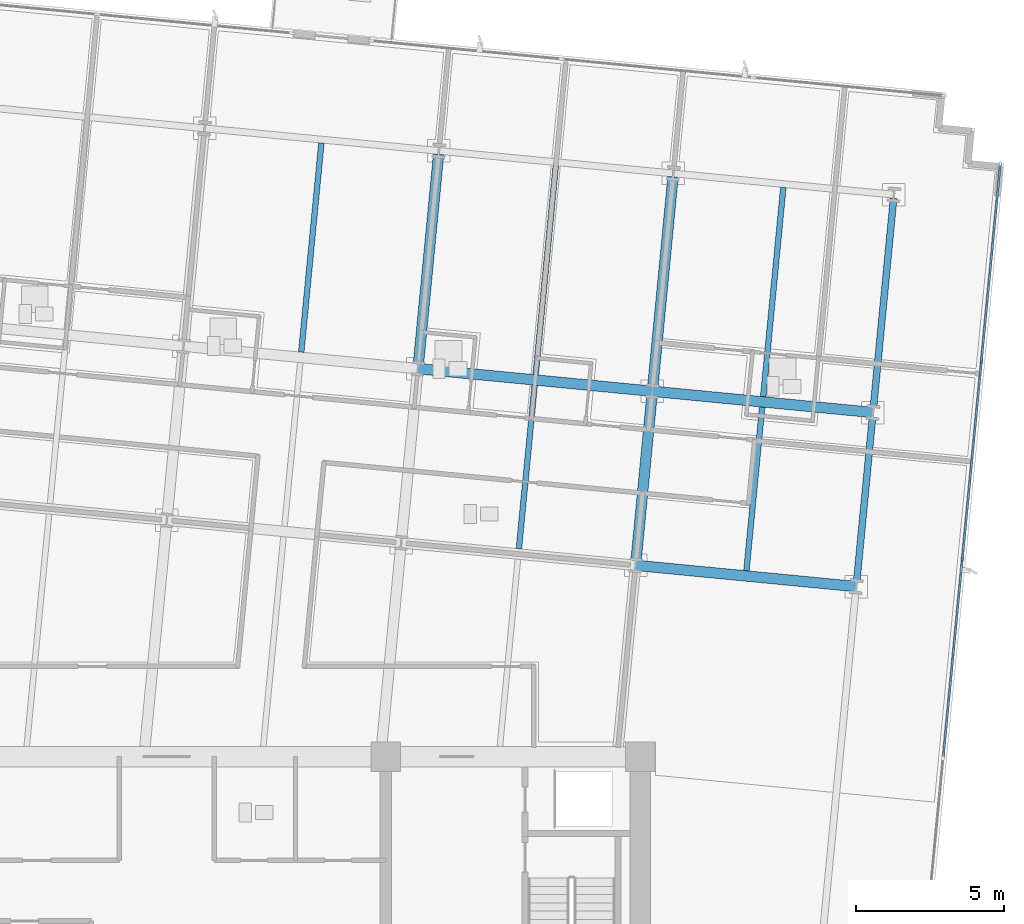
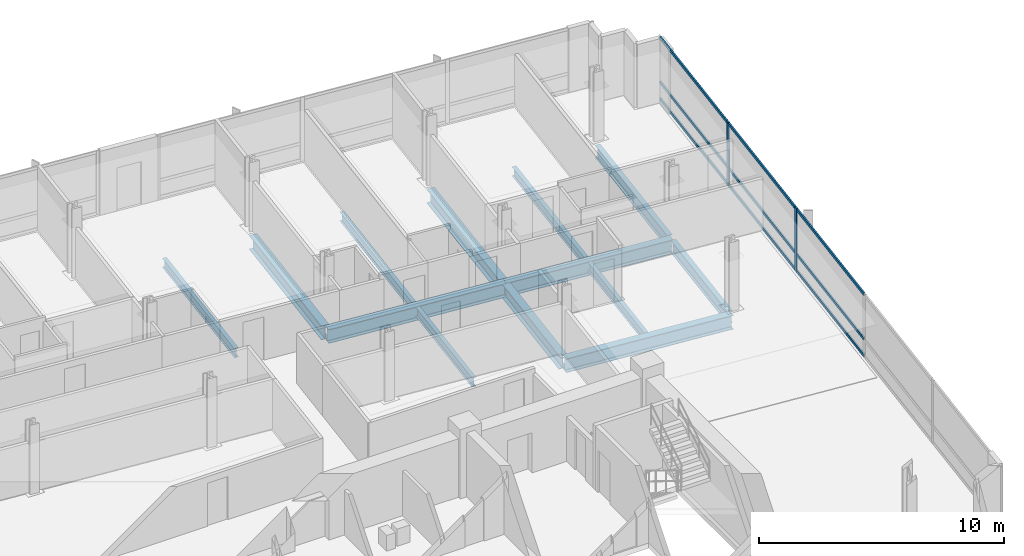
# One storey, part 6 of 17: 13 beams, 11 members, 1 element without a shape of its own.
"""IFC4 building model written with IfcOpenShell, lengths in metres."""

from ifc_helpers import new_model, si_unit, direction, frame, origin, origin_2d, place, context, subcontext, project, spatial, rectangle, i_section, extrude, material, material_profile, profile_set, type_object, element, aggregate, save


model = new_model("IFC4")

# Units and contexts
model_context = context("Model", 3, precision=1e-05, world=origin(), true_north=direction((0.0, 1.0)))
body_context = subcontext(model_context, "Body", "Model", "MODEL_VIEW")
ifc_project = project(units=[si_unit("LENGTHUNIT", "METRE"), si_unit("AREAUNIT", "SQUARE_METRE"), si_unit("VOLUMEUNIT", "CUBIC_METRE"), si_unit("PLANEANGLEUNIT", "RADIAN"), si_unit("MASSUNIT", "GRAM", prefix="KILO")], contexts=[model_context])

# Site, building, storey
site_placement = place(None, origin())
site = spatial("IfcSite", under=ifc_project, at=site_placement, CompositionType="ELEMENT")
building_placement = place(site_placement, origin())
building = spatial("IfcBuilding", under=site, at=building_placement, Name="Solmavex Isthmus Hotel", CompositionType="ELEMENT")
storey_placement = place(building_placement, frame((0.0, 0.0, 139.35009765625)))
storey = spatial("IfcBuildingStorey", under=building, at=storey_placement, Name="L37", CompositionType="ELEMENT", Elevation=139.35009765625)

# Beams
ifc_material_1 = material(Name="Steel ASTM A992 Grade 50", Category="steel")
ifc_material_profile_1 = material_profile(ifc_material_1, i_section(OverallWidth=0.354736328125, OverallDepth=0.695556640625, WebThickness=0.015380859375, FlangeThickness=0.02490234375, FilletRadius=0.017822265625, at=origin_2d()), Name="W27X146")
ifc_profile_set_1 = profile_set([ifc_material_profile_1], Name="Steel ASTM A992 Grade 50")
beam_type_1 = type_object("IfcBeamType", Name="BM-BG-W27X146", PredefinedType="BEAM", material=ifc_profile_set_1)
beam_1_placement = place(storey_placement, frame((15.840087890625, 3.96533203125, -0.60791015625), z_axis=(0.995394980007, -0.095858404835, 0.0), x_axis=(0.095858404835, 0.995394980007, 0.0)))
element("IfcBeam", 1, at=beam_1_placement, inside=storey, type_object=beam_type_1, Name="Floor Girder L37-UG08", PredefinedType="BEAM", context=body_context, shape_type="SweptSolid", body=[
    extrude(i_section(OverallWidth=0.354736328125, OverallDepth=0.695556640625, WebThickness=0.015380859375, FlangeThickness=0.02490234375, FilletRadius=0.017822265625, at=origin_2d()), origin(), (0.0, 0.0, 1.0), 7.48779296875),
])
beam_2_placement = place(storey_placement, frame((8.48681640625, 10.608642578125, -0.60791015625), z_axis=(0.995394512348, -0.095863260885, 0.0), x_axis=(0.095863260885, 0.995394512348, 0.0)))
element("IfcBeam", 2, at=beam_2_placement, inside=storey, type_object=beam_type_1, Name="Floor Girder L37-UG13", PredefinedType="BEAM", context=body_context, shape_type="SweptSolid", body=[
    extrude(i_section(OverallWidth=0.354736328125, OverallDepth=0.695556640625, WebThickness=0.015380859375, FlangeThickness=0.02490234375, FilletRadius=0.017822265625, at=origin_2d()), origin(), (0.0, 0.0, 1.0), 7.9560546875),
])
beam_3_placement = place(storey_placement, frame((16.40625, 9.845947265625, -0.60791015625), z_axis=(0.995398389938, -0.095822989454, 0.0), x_axis=(0.095822989454, 0.995398389938, 0.0)))
element("IfcBeam", 3, at=beam_3_placement, inside=storey, type_object=beam_type_1, Name="Floor Girder L37-UG14", PredefinedType="BEAM", context=body_context, shape_type="SweptSolid", body=[
    extrude(i_section(OverallWidth=0.354736328125, OverallDepth=0.695556640625, WebThickness=0.015380859375, FlangeThickness=0.02490234375, FilletRadius=0.017822265625, at=origin_2d()), origin(), (0.0, 0.0, 1.0), 7.488037109375),
])
beam_4_placement = place(storey_placement, frame((8.50390625, 10.78515625, -0.60791015625), z_axis=(0.095842805175, 0.99539648216, 0.0), x_axis=(-0.99539648216, 0.095842805175, 0.0)))
element("IfcBeam", 4, at=beam_4_placement, inside=storey, type_object=beam_type_1, Name="Floor Beam L37-VG35", PredefinedType="BEAM", context=body_context, shape_type="SweptSolid", body=[
    extrude(i_section(OverallWidth=0.354736328125, OverallDepth=0.695556640625, WebThickness=0.015380859375, FlangeThickness=0.02490234375, FilletRadius=0.017822265625, at=origin_2d()), origin(), (0.0, 0.0, 1.0), 7.099365234375),
])
beam_5_placement = place(storey_placement, frame((15.85693359375, 4.141845703125, -0.60791015625), z_axis=(0.095842252862, 0.99539653534, 0.0), x_axis=(-0.99539653534, 0.095842252862, 0.0)))
element("IfcBeam", 5, at=beam_5_placement, inside=storey, type_object=beam_type_1, Name="Floor Beam L37-VG37", PredefinedType="BEAM", context=body_context, shape_type="SweptSolid", body=[
    extrude(i_section(OverallWidth=0.354736328125, OverallDepth=0.695556640625, WebThickness=0.015380859375, FlangeThickness=0.02490234375, FilletRadius=0.017822265625, at=origin_2d()), origin(), (0.0, 0.0, 1.0), 5.55322265625),
])
beam_6_placement = place(storey_placement, frame((16.42333984375, 10.022705078125, -0.60791015625), z_axis=(0.095842805175, 0.99539648216, 0.0), x_axis=(-0.99539648216, 0.095842805175, 0.0)))
element("IfcBeam", 6, at=beam_6_placement, inside=storey, type_object=beam_type_1, Name="Floor Beam L37-VG38", PredefinedType="BEAM", context=body_context, shape_type="SweptSolid", body=[
    extrude(i_section(OverallWidth=0.354736328125, OverallDepth=0.695556640625, WebThickness=0.015380859375, FlangeThickness=0.02490234375, FilletRadius=0.017822265625, at=origin_2d()), origin(), (0.0, 0.0, 1.0), 7.099365234375),
])
ifc_material_profile_2 = material_profile(ifc_material_1, i_section(OverallWidth=0.1904296875, OverallDepth=0.456787109375, WebThickness=0.009033203125, FlangeThickness=0.014404296875, FilletRadius=0.0126953125, at=origin_2d()), Name="W18X50")
ifc_profile_set_2 = profile_set([ifc_material_profile_2], Name="Steel ASTM A992 Grade 50")
beam_type_2 = type_object("IfcBeamType", Name="BM-BJ-W18X50", PredefinedType="JOIST", material=ifc_profile_set_2)
beam_7_placement = place(storey_placement, frame((4.544189453125, 11.16650390625, -0.488525390625), z_axis=(0.095842805175, 0.99539648216, 0.0), x_axis=(-0.99539648216, 0.095842805175, 0.0)))
element("IfcBeam", 7, at=beam_7_placement, inside=storey, type_object=beam_type_2, Name="Secondary Floor Joist L37-J12", PredefinedType="JOIST", context=body_context, shape_type="SweptSolid", body=[
    extrude(i_section(OverallWidth=0.1904296875, OverallDepth=0.456787109375, WebThickness=0.009033203125, FlangeThickness=0.014404296875, FilletRadius=0.0126953125, at=origin_2d()), origin(), (0.0, 0.0, 1.0), 7.099365234375),
])
beam_8_placement = place(storey_placement, frame((11.8974609375, 4.523193359375, -0.488525390625), z_axis=(0.095842252862, 0.99539653534, 0.0), x_axis=(-0.99539653534, 0.095842252862, 0.0)))
element("IfcBeam", 8, at=beam_8_placement, inside=storey, type_object=beam_type_2, Name="Secondary Floor Joist L37-J14", PredefinedType="JOIST", context=body_context, shape_type="SweptSolid", body=[
    extrude(i_section(OverallWidth=0.1904296875, OverallDepth=0.456787109375, WebThickness=0.009033203125, FlangeThickness=0.014404296875, FilletRadius=0.0126953125, at=origin_2d()), origin(), (0.0, 0.0, 1.0), 5.55322265625),
])
beam_9_placement = place(storey_placement, frame((12.463623046875, 10.40380859375, -0.488525390625), z_axis=(0.095839524498, 0.995396798038, 0.0), x_axis=(-0.995396798038, 0.095839524498, 0.0)))
element("IfcBeam", 9, at=beam_9_placement, inside=storey, type_object=beam_type_2, Name="Secondary Floor Joist L37-J15", PredefinedType="JOIST", context=body_context, shape_type="SweptSolid", body=[
    extrude(i_section(OverallWidth=0.1904296875, OverallDepth=0.456787109375, WebThickness=0.009033203125, FlangeThickness=0.014404296875, FilletRadius=0.0126953125, at=origin_2d()), origin(), (0.0, 0.0, 1.0), 7.099609375),
])
beam_10_placement = place(storey_placement, frame((19.583740234375, 3.782958984375, -0.488525390625), z_axis=(0.095842252862, 0.99539653534, 0.0), x_axis=(-0.99539653534, 0.095842252862, 0.0)))
element("IfcBeam", 10, at=beam_10_placement, inside=storey, type_object=beam_type_2, Name="Secondary Floor Joist L37-J16", PredefinedType="JOIST", context=body_context, shape_type="SweptSolid", body=[
    extrude(i_section(OverallWidth=0.1904296875, OverallDepth=0.456787109375, WebThickness=0.009033203125, FlangeThickness=0.014404296875, FilletRadius=0.0126953125, at=origin_2d()), origin(), (0.0, 0.0, 1.0), 5.55322265625),
])
beam_11_placement = place(storey_placement, frame((20.150146484375, 9.663818359375, -0.488525390625), z_axis=(0.095842805175, 0.99539648216, 0.0), x_axis=(-0.99539648216, 0.095842805175, 0.0)))
element("IfcBeam", 11, at=beam_11_placement, inside=storey, type_object=beam_type_2, Name="Secondary Floor Joist L37-J17", PredefinedType="JOIST", context=body_context, shape_type="SweptSolid", body=[
    extrude(i_section(OverallWidth=0.1904296875, OverallDepth=0.456787109375, WebThickness=0.009033203125, FlangeThickness=0.014404296875, FilletRadius=0.0126953125, at=origin_2d()), origin(), (0.0, 0.0, 1.0), 7.099365234375),
])
ifc_material_profile_3 = material_profile(ifc_material_1, i_section(OverallWidth=0.230224609375, OverallDepth=0.617431640625, WebThickness=0.01318359375, FlangeThickness=0.022216796875, FilletRadius=0.01513671875, at=origin_2d()), Name="W24X94")
ifc_profile_set_3 = profile_set([ifc_material_profile_3], Name="Steel ASTM A992 Grade 50")
beam_type_3 = type_object("IfcBeamType", Name="BM-SP-W24X94", PredefinedType="SPANDREL", material=ifc_profile_set_3)
beam_12_placement = place(storey_placement, frame((23.310546875, 3.424072265625, -0.56884765625), z_axis=(0.095842252862, 0.99539653534, 0.0), x_axis=(-0.99539653534, 0.095842252862, 0.0)))
element("IfcBeam", 12, at=beam_12_placement, inside=storey, type_object=beam_type_3, Name="Floor Beam L37-VG40", PredefinedType="SPANDREL", context=body_context, shape_type="SweptSolid", body=[
    extrude(i_section(OverallWidth=0.230224609375, OverallDepth=0.617431640625, WebThickness=0.01318359375, FlangeThickness=0.022216796875, FilletRadius=0.01513671875, at=origin_2d()), origin(), (0.0, 0.0, 1.0), 5.55322265625),
])
beam_13_placement = place(storey_placement, frame((23.876708984375, 9.304931640625, -0.56884765625), z_axis=(0.09587687835, 0.9953932008, 0.0), x_axis=(-0.9953932008, 0.09587687835, 0.0)))
element("IfcBeam", 13, at=beam_13_placement, inside=storey, type_object=beam_type_3, Name="Floor Beam L37-VG41", PredefinedType="SPANDREL", context=body_context, shape_type="SweptSolid", body=[
    extrude(i_section(OverallWidth=0.230224609375, OverallDepth=0.617431640625, WebThickness=0.01318359375, FlangeThickness=0.022216796875, FilletRadius=0.01513671875, at=origin_2d()), origin(), (0.0, 0.0, 1.0), 7.099365234375),
])

# Curtain wall, members
ifc_material_2 = material(Name="Aluminium alloy 6063-T6", Category="aluminium")
curtain_wall_type = type_object("IfcCurtainWallType", Name="CW-SYS-03", PredefinedType="NOTDEFINED", material=ifc_material_2)
curtain_wall_placement = place(storey_placement, origin())
curtain_wall = element("IfcCurtainWall", 14, at=curtain_wall_placement, inside=storey, type_object=curtain_wall_type, Name="Stick Curtain Wall CWL-L37-E1", PredefinedType="NOTDEFINED")
ifc_material_profile_4 = material_profile(ifc_material_2, rectangle(XDim=0.070068359375, YDim=0.179931640625, at=origin_2d()), Name="CWM-70X180")
ifc_profile_set_4 = profile_set([ifc_material_profile_4], Name="Aluminium alloy 6063-T6")
member_type_1 = type_object("IfcMemberType", Name="CW-SYS-03-MUL", PredefinedType="MULLION", material=ifc_profile_set_4)
member_1_placement = place(storey_placement, frame((26.878173828125, 4.168212890625, 0.0), z_axis=(0.0, 0.0, 1.0), x_axis=(-0.995396190038, 0.09584583902, 0.0)))
member_1 = element("IfcMember", 15, at=member_1_placement, type_object=member_type_1, Name="CW-03 mullion 4", PredefinedType="MULLION", context=body_context, shape_type="SweptSolid", body=[
    extrude(rectangle(XDim=0.070068359375, YDim=0.179931640625, at=origin_2d()), origin(), (0.0, 0.0, 1.0), 3.18994140625),
])
member_2_placement = place(storey_placement, frame((27.5224609375, 10.857177734375, 0.0), z_axis=(0.0, 0.0, 1.0), x_axis=(-0.995396190038, 0.09584583902, 0.0)))
member_2 = element("IfcMember", 16, at=member_2_placement, type_object=member_type_1, Name="CW-03 mullion 5", PredefinedType="MULLION", context=body_context, shape_type="SweptSolid", body=[
    extrude(rectangle(XDim=0.070068359375, YDim=0.179931640625, at=origin_2d()), origin(), (0.0, 0.0, 1.0), 3.18994140625),
])
ifc_material_profile_5 = material_profile(ifc_material_2, rectangle(XDim=0.070068359375, YDim=0.139892578125, at=origin_2d()), Name="CWT-70X140")
ifc_profile_set_5 = profile_set([ifc_material_profile_5], Name="Aluminium alloy 6063-T6")
member_type_2 = type_object("IfcMemberType", Name="CW-SYS-03-TRN", PredefinedType="USERDEFINED", material=ifc_profile_set_5)
member_3_placement = place(storey_placement, frame((26.237548828125, -2.486083984375, 0.06982421875), z_axis=(0.095857212138, 0.995395094865, 0.0), x_axis=(-0.995395094865, 0.095857212138, 0.0)))
member_3 = element("IfcMember", 17, at=member_3_placement, type_object=member_type_2, Name="CW-03 transom 3.1", ObjectType="TRANSOM", PredefinedType="USERDEFINED", context=body_context, shape_type="SweptSolid", body=[
    extrude(rectangle(XDim=0.070068359375, YDim=0.139892578125, at=origin_2d()), origin(), (0.0, 0.0, 1.0), 6.64990234375),
])
member_4_placement = place(storey_placement, frame((26.237548828125, -2.486083984375, 0.89990234375), z_axis=(0.095857212138, 0.995395094865, 0.0), x_axis=(-0.995395094865, 0.095857212138, 0.0)))
member_4 = element("IfcMember", 18, at=member_4_placement, type_object=member_type_2, Name="CW-03 transom 3.2", ObjectType="TRANSOM", PredefinedType="USERDEFINED", context=body_context, shape_type="SweptSolid", body=[
    extrude(rectangle(XDim=0.070068359375, YDim=0.139892578125, at=origin_2d()), origin(), (0.0, 0.0, 1.0), 6.64990234375),
])
member_5_placement = place(storey_placement, frame((26.237548828125, -2.486083984375, 3.119873046875), z_axis=(0.095857212138, 0.995395094865, 0.0), x_axis=(-0.995395094865, 0.095857212138, 0.0)))
member_5 = element("IfcMember", 19, at=member_5_placement, type_object=member_type_2, Name="CW-03 transom 3.3", ObjectType="TRANSOM", PredefinedType="USERDEFINED", context=body_context, shape_type="SweptSolid", body=[
    extrude(rectangle(XDim=0.070068359375, YDim=0.139892578125, at=origin_2d()), origin(), (0.0, 0.0, 1.0), 6.64990234375),
])
member_6_placement = place(storey_placement, frame((26.881591796875, 4.203125, 0.06982421875), z_axis=(0.095857212138, 0.995395094865, 0.0), x_axis=(-0.995395094865, 0.095857212138, 0.0)))
member_6 = element("IfcMember", 20, at=member_6_placement, type_object=member_type_2, Name="CW-03 transom 4.1", ObjectType="TRANSOM", PredefinedType="USERDEFINED", context=body_context, shape_type="SweptSolid", body=[
    extrude(rectangle(XDim=0.070068359375, YDim=0.139892578125, at=origin_2d()), origin(), (0.0, 0.0, 1.0), 6.64990234375),
])
member_7_placement = place(storey_placement, frame((26.881591796875, 4.203125, 0.89990234375), z_axis=(0.095857212138, 0.995395094865, 0.0), x_axis=(-0.995395094865, 0.095857212138, 0.0)))
member_7 = element("IfcMember", 21, at=member_7_placement, type_object=member_type_2, Name="CW-03 transom 4.2", ObjectType="TRANSOM", PredefinedType="USERDEFINED", context=body_context, shape_type="SweptSolid", body=[
    extrude(rectangle(XDim=0.070068359375, YDim=0.139892578125, at=origin_2d()), origin(), (0.0, 0.0, 1.0), 6.64990234375),
])
member_8_placement = place(storey_placement, frame((26.881591796875, 4.203125, 3.119873046875), z_axis=(0.095857212138, 0.995395094865, 0.0), x_axis=(-0.995395094865, 0.095857212138, 0.0)))
member_8 = element("IfcMember", 22, at=member_8_placement, type_object=member_type_2, Name="CW-03 transom 4.3", ObjectType="TRANSOM", PredefinedType="USERDEFINED", context=body_context, shape_type="SweptSolid", body=[
    extrude(rectangle(XDim=0.070068359375, YDim=0.139892578125, at=origin_2d()), origin(), (0.0, 0.0, 1.0), 6.64990234375),
])
member_9_placement = place(storey_placement, frame((27.525634765625, 10.89208984375, 0.06982421875), z_axis=(0.095848837806, 0.995395901283, 0.0), x_axis=(-0.995395901283, 0.095848837806, 0.0)))
member_9 = element("IfcMember", 23, at=member_9_placement, type_object=member_type_2, Name="CW-03 transom 5.1", ObjectType="TRANSOM", PredefinedType="USERDEFINED", context=body_context, shape_type="SweptSolid", body=[
    extrude(rectangle(XDim=0.070068359375, YDim=0.139892578125, at=origin_2d()), origin(), (0.0, 0.0, 1.0), 6.614990234375),
])
member_10_placement = place(storey_placement, frame((27.525634765625, 10.89208984375, 0.89990234375), z_axis=(0.095848837806, 0.995395901283, 0.0), x_axis=(-0.995395901283, 0.095848837806, 0.0)))
member_10 = element("IfcMember", 24, at=member_10_placement, type_object=member_type_2, Name="CW-03 transom 5.2", ObjectType="TRANSOM", PredefinedType="USERDEFINED", context=body_context, shape_type="SweptSolid", body=[
    extrude(rectangle(XDim=0.070068359375, YDim=0.139892578125, at=origin_2d()), origin(), (0.0, 0.0, 1.0), 6.614990234375),
])
member_11_placement = place(storey_placement, frame((27.525634765625, 10.89208984375, 3.119873046875), z_axis=(0.095848837806, 0.995395901283, 0.0), x_axis=(-0.995395901283, 0.095848837806, 0.0)))
member_11 = element("IfcMember", 25, at=member_11_placement, type_object=member_type_2, Name="CW-03 transom 5.3", ObjectType="TRANSOM", PredefinedType="USERDEFINED", context=body_context, shape_type="SweptSolid", body=[
    extrude(rectangle(XDim=0.070068359375, YDim=0.139892578125, at=origin_2d()), origin(), (0.0, 0.0, 1.0), 6.614990234375),
])
aggregate(curtain_wall, [member_1, member_2, member_3, member_4, member_5, member_6, member_7, member_8, member_9, member_10, member_11])

save(model, "model.ifc")
